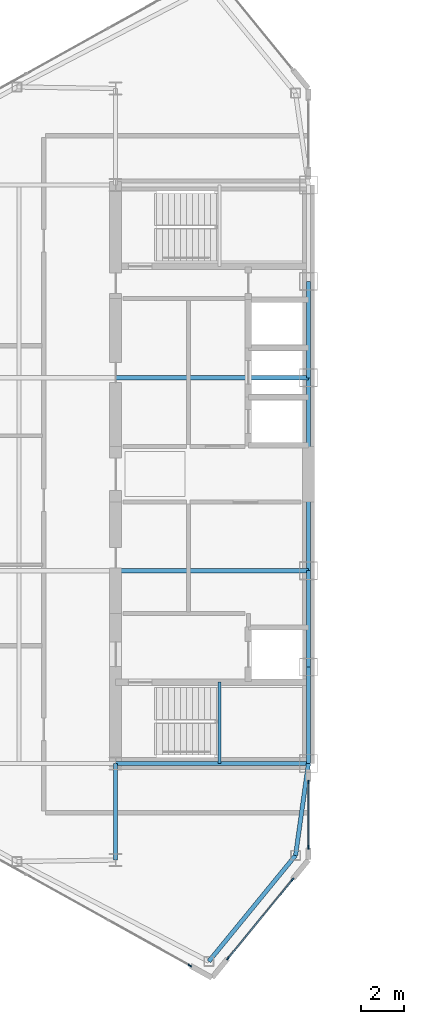
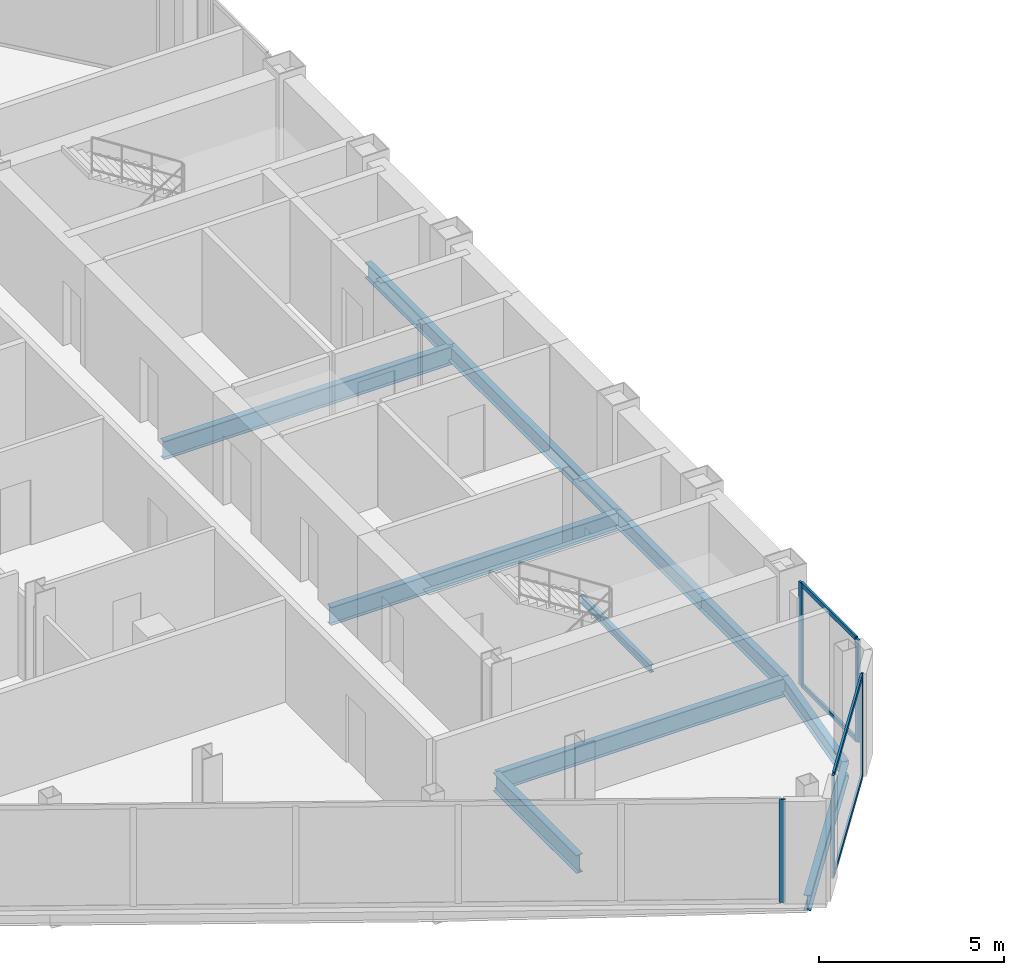
# One storey, part 7 of 26: 11 beams, 9 members, 3 elements without a shape of their own.
"""IFC4 building model written with IfcOpenShell, lengths in metres."""

from ifc_helpers import new_model, si_unit, direction, frame, origin, origin_2d, place, context, subcontext, project, spatial, rectangle, i_section, extrude, source, transform, mapped, material, layer, layer_set, material_profile, profile_set, type_object, type_shapes, element, aggregate, save


model = new_model("IFC4")

# Units and contexts
model_context = context("Model", 3, precision=1e-05, world=origin(), true_north=direction((0.0, 1.0)))
body_context = subcontext(model_context, "Body", "Model", "MODEL_VIEW")
ifc_project = project(units=[si_unit("LENGTHUNIT", "METRE"), si_unit("AREAUNIT", "SQUARE_METRE"), si_unit("VOLUMEUNIT", "CUBIC_METRE"), si_unit("PLANEANGLEUNIT", "RADIAN"), si_unit("MASSUNIT", "GRAM", prefix="KILO")], contexts=[model_context])

# Site, building, storey
site_placement = place(None, origin())
site = spatial("IfcSite", under=ifc_project, at=site_placement, CompositionType="ELEMENT")
building_placement = place(site_placement, origin())
building = spatial("IfcBuilding", under=site, at=building_placement, Name="Seokmaru Belvedere", CompositionType="ELEMENT")
storey_placement = place(building_placement, frame((0.0, 0.0, 174.300048828125)))
storey = spatial("IfcBuildingStorey", under=building, at=storey_placement, Name="L46", CompositionType="ELEMENT", Elevation=174.300048828125)

# Beams
ifc_material_1 = material(Name="Steel SM355 (355 MPa)", Category="steel")
ifc_material_profile_1 = material_profile(ifc_material_1, i_section(OverallWidth=0.199951171875, OverallDepth=0.5, WebThickness=0.010009765625, FlangeThickness=0.01611328125, at=origin_2d()), Name="H-500x200x10x16")
ifc_profile_set_1 = profile_set([ifc_material_profile_1], Name="Steel SM355 (355 MPa)")
beam_type_1 = type_object("IfcBeamType", Name="Perimeter Spandrel Beam H-500", PredefinedType="SPANDREL", material=ifc_profile_set_1)
shared_shape_1 = source(origin(), body_context, "Body", "SweptSolid", [
    extrude(i_section(OverallWidth=0.199951171875, OverallDepth=0.5, WebThickness=0.010009765625, FlangeThickness=0.01611328125, at=origin_2d()), origin(), (0.0, 0.0, 1.0), 4.5),
])
for number, where, z_axis, x_axis, name in (
    (1, (-27.5, -13.5, -0.469970703125), (0.0, 1.0, 0.0), (-1.0, 0.0, 0.0), "L46 W Portal Spine Spandrel 1"),
    (2, (-27.5, -9.0, -0.469970703125), (0.0, 1.0, 0.0), (-1.0, 0.0, 0.0), "L46 W Portal Spine Spandrel 2"),
    (3, (-27.5, 4.5, -0.469970703125), (0.0, 1.0, 0.0), (-1.0, 0.0, 0.0), "L46 W Portal Spine Spandrel 4"),
):
    element("IfcBeam", number, at=place(storey_placement, frame(where, z_axis=z_axis, x_axis=x_axis)), inside=storey, type_object=beam_type_1, Name=name, PredefinedType="SPANDREL", context=body_context, shape_type="MappedRepresentation", body=[
        mapped(shared_shape_1, transform((0.0, 0.0, 0.0), scale=1.0)),
    ])
shared_shape_2 = source(origin(), body_context, "Body", "SweptSolid", [
    extrude(i_section(OverallWidth=0.199951171875, OverallDepth=0.5, WebThickness=0.010009765625, FlangeThickness=0.01611328125, at=origin_2d()), origin(), (0.0, 0.0, 1.0), 9.0),
])
beam_1_placement = place(storey_placement, frame((-27.5, -4.5, -0.469970703125), z_axis=(0.0, 1.0, 0.0), x_axis=(-1.0, 0.0, 0.0)))
element("IfcBeam", 4, at=beam_1_placement, inside=storey, type_object=beam_type_1, Name="L46 W Portal Spine Spandrel 3", PredefinedType="SPANDREL", context=body_context, shape_type="MappedRepresentation", body=[
    mapped(shared_shape_2, transform((0.0, 0.0, 0.0), scale=1.0)),
])
ifc_material_profile_2 = material_profile(ifc_material_1, i_section(OverallWidth=0.199951171875, OverallDepth=0.60009765625, WebThickness=0.010986328125, FlangeThickness=0.01708984375, at=origin_2d()), Name="H-600x200x11x17")
ifc_profile_set_2 = profile_set([ifc_material_profile_2], Name="Steel SM355 (355 MPa)")
beam_type_2 = type_object("IfcBeamType", Name="Primary Floor Girder H-600", PredefinedType="BEAM", material=ifc_profile_set_2)
shared_shape_3 = source(origin(), body_context, "Body", "SweptSolid", [
    extrude(i_section(OverallWidth=0.199951171875, OverallDepth=0.60009765625, WebThickness=0.010986328125, FlangeThickness=0.01708984375, at=origin_2d()), origin(), (0.0, 0.0, 1.0), 9.0),
])
for number, where, z_axis, x_axis, name in (
    (5, (-36.5, -13.5, -0.52001953125), (1.0, 0.0, 0.0), (0.0, 1.0, 0.0), "L46 W Core Tie Girder 1"),
    (6, (-36.5, -4.5, -0.52001953125), (1.0, 0.0, 0.0), (0.0, 1.0, 0.0), "L46 W Core Tie Girder 2"),
    (7, (-36.5, 4.5, -0.52001953125), (1.0, 0.0, 0.0), (0.0, 1.0, 0.0), "L46 W Core Tie Girder 3"),
):
    element("IfcBeam", number, at=place(storey_placement, frame(where, z_axis=z_axis, x_axis=x_axis)), inside=storey, type_object=beam_type_2, Name=name, PredefinedType="BEAM", context=body_context, shape_type="MappedRepresentation", body=[
        mapped(shared_shape_3, transform((0.0, 0.0, 0.0), scale=1.0)),
    ])
shared_shape_4 = source(origin(), body_context, "Body", "SweptSolid", [
    extrude(i_section(OverallWidth=0.199951171875, OverallDepth=0.60009765625, WebThickness=0.010986328125, FlangeThickness=0.01708984375, at=origin_2d()), origin(), (0.0, 0.0, 1.0), 4.5),
])
type_shapes(beam_type_2, [shared_shape_3, shared_shape_4])
beam_2_placement = place(storey_placement, frame((-36.5, -18.0, -0.52001953125), z_axis=(0.0, 1.0, 0.0), x_axis=(-1.0, 0.0, 0.0)))
element("IfcBeam", 8, at=beam_2_placement, inside=storey, type_object=beam_type_2, Name="L46 W Core Shoulder Girder S", PredefinedType="BEAM", context=body_context, shape_type="MappedRepresentation", body=[
    mapped(shared_shape_4, transform((0.0, 0.0, 0.0), scale=1.0)),
])
shared_shape_5 = source(origin(), body_context, "Body", "SweptSolid", [
    extrude(i_section(OverallWidth=0.199951171875, OverallDepth=0.5, WebThickness=0.010009765625, FlangeThickness=0.01611328125, at=origin_2d()), origin(), (0.0, 0.0, 1.0), 6.390380859375),
])
beam_3_placement = place(storey_placement, frame((-32.146728515625, -22.731689453125, -0.469970703125), z_axis=(0.63324403161, 0.7739521926, 0.0), x_axis=(-0.7739521926, 0.63324403161, 0.0)))
element("IfcBeam", 9, at=beam_3_placement, inside=storey, type_object=beam_type_1, Name="L46 W Shoulder Chamfer Spandrel S", PredefinedType="SPANDREL", context=body_context, shape_type="MappedRepresentation", body=[
    mapped(shared_shape_5, transform((0.0, 0.0, 0.0), scale=1.0)),
])
shared_shape_6 = source(origin(), body_context, "Body", "SweptSolid", [
    extrude(i_section(OverallWidth=0.199951171875, OverallDepth=0.5, WebThickness=0.010009765625, FlangeThickness=0.01611328125, at=origin_2d()), origin(), (0.0, 0.0, 1.0), 4.32763671875),
])
type_shapes(beam_type_1, [shared_shape_1, shared_shape_2, shared_shape_5, shared_shape_6])
beam_4_placement = place(storey_placement, frame((-28.10009765625, -17.785888671875, -0.469970703125), z_axis=(0.138664443237, 0.990339422714, 0.0), x_axis=(-0.990339422714, 0.138664443237, 0.0)))
element("IfcBeam", 10, at=beam_4_placement, inside=storey, type_object=beam_type_1, Name="L46 W Shoulder Spine Spandrel S", PredefinedType="SPANDREL", context=body_context, shape_type="MappedRepresentation", body=[
    mapped(shared_shape_6, transform((0.0, 0.0, 0.0), scale=1.0)),
])

# Curtain wall, members
ifc_material_2 = material(Name="Bronze Triple Insulating Glass", Category="glass")
ifc_layer = layer(ifc_material_2, 0.179931640625)
ifc_layer_set = layer_set([ifc_layer], Name="Bronze Triple Insulating Glass")
curtain_wall_type = type_object("IfcCurtainWallType", Name="High-Rise Wind-Corner Curtain Wall System CW-5", PredefinedType="NOTDEFINED", material=ifc_layer_set)
curtain_wall_1_placement = place(storey_placement, origin())
curtain_wall_1 = element("IfcCurtainWall", 11, at=curtain_wall_1_placement, inside=storey, type_object=curtain_wall_type, Name="L46 Curtain Wall WSP_1", PredefinedType="NOTDEFINED")
ifc_material_3 = material(Name="Anodised Bronze Aluminium", Category="aluminium")
ifc_material_profile_3 = material_profile(ifc_material_3, rectangle(XDim=0.06494140625, YDim=0.14990234375, at=origin_2d()), Name="CW-T-65x150")
ifc_profile_set_3 = profile_set([ifc_material_profile_3], Name="Anodised Bronze Aluminium")
member_type_1 = type_object("IfcMemberType", Name="Bronze Unitised Transom 65x150", PredefinedType="USERDEFINED", material=ifc_profile_set_3)
shared_shape_7 = source(origin(), body_context, "Body", "SweptSolid", [
    extrude(rectangle(XDim=0.06494140625, YDim=0.14990234375, at=origin_2d()), origin(), (0.0, 0.0, 1.0), 2.969970703125),
])
member_1_placement = place(storey_placement, frame((-27.5, -17.364990234375, 0.032470703125), z_axis=(0.0, 1.0, 0.0), x_axis=(-1.0, 0.0, 0.0)))
member_1 = element("IfcMember", 12, at=member_1_placement, type_object=member_type_1, Name="CW:L46:WSP_1 Continuous Transom 1", ObjectType="TRANSOM", PredefinedType="USERDEFINED", context=body_context, shape_type="MappedRepresentation", body=[
    mapped(shared_shape_7, transform((0.0, 0.0, 0.0), scale=1.0)),
])
member_2_placement = place(storey_placement, frame((-27.5, -17.364990234375, 3.347412109375), z_axis=(0.0, 1.0, 0.0), x_axis=(-1.0, 0.0, 0.0)))
member_2 = element("IfcMember", 13, at=member_2_placement, type_object=member_type_1, Name="CW:L46:WSP_1 Continuous Transom 2", ObjectType="TRANSOM", PredefinedType="USERDEFINED", context=body_context, shape_type="MappedRepresentation", body=[
    mapped(shared_shape_7, transform((0.0, 0.0, 0.0), scale=1.0)),
])

curtain_wall_2_placement = place(storey_placement, origin())
curtain_wall_2 = element("IfcCurtainWall", 14, at=curtain_wall_2_placement, inside=storey, type_object=curtain_wall_type, Name="L46 Curtain Wall WF6", PredefinedType="NOTDEFINED")
shared_shape_8 = source(origin(), body_context, "Body", "SweptSolid", [
    extrude(rectangle(XDim=0.06494140625, YDim=0.14990234375, at=origin_2d()), origin(), (0.0, 0.0, 1.0), 4.67626953125),
])
type_shapes(member_type_1, [shared_shape_7, shared_shape_8])
member_3_placement = place(storey_placement, frame((-31.230712890625, -22.5595703125, 0.032470703125), z_axis=(0.633277591216, 0.773924733074, 0.0), x_axis=(-0.773924733074, 0.633277591216, 0.0)))
member_3 = element("IfcMember", 15, at=member_3_placement, type_object=member_type_1, Name="CW:L46:WF6 Continuous Transom 1", ObjectType="TRANSOM", PredefinedType="USERDEFINED", context=body_context, shape_type="MappedRepresentation", body=[
    mapped(shared_shape_8, transform((0.0, 0.0, 0.0), scale=1.0)),
])
member_4_placement = place(storey_placement, frame((-31.230712890625, -22.5595703125, 3.347412109375), z_axis=(0.633277591216, 0.773924733074, 0.0), x_axis=(-0.773924733074, 0.633277591216, 0.0)))
member_4 = element("IfcMember", 16, at=member_4_placement, type_object=member_type_1, Name="CW:L46:WF6 Continuous Transom 2", ObjectType="TRANSOM", PredefinedType="USERDEFINED", context=body_context, shape_type="MappedRepresentation", body=[
    mapped(shared_shape_8, transform((0.0, 0.0, 0.0), scale=1.0)),
])

# Member
ifc_material_profile_4 = material_profile(ifc_material_3, rectangle(XDim=0.06494140625, YDim=0.179931640625, at=origin_2d()), Name="CW-M-65x180")
ifc_profile_set_4 = profile_set([ifc_material_profile_4], Name="Anodised Bronze Aluminium")
member_type_2 = type_object("IfcMemberType", Name="Bronze Unitised Mullion 65x180", PredefinedType="MULLION", material=ifc_profile_set_4)
shared_shape_9 = source(origin(), body_context, "Body", "SweptSolid", [
    extrude(rectangle(XDim=0.06494140625, YDim=0.179931640625, at=origin_2d()), origin(), (0.0, 0.0, 1.0), 3.3798828125),
])
type_shapes(member_type_2, [shared_shape_9])
member_5_placement = place(storey_placement, frame((-27.5, -17.3974609375, 0.0), z_axis=(0.0, 0.0, 1.0), x_axis=(-1.0, 0.0, 0.0)))
member_5 = element("IfcMember", 17, at=member_5_placement, type_object=member_type_2, Name="CW:L46:WSP_1 Mullion 1", PredefinedType="MULLION", context=body_context, shape_type="MappedRepresentation", body=[
    mapped(shared_shape_9, transform((0.0, 0.0, 0.0), scale=1.0)),
])

member_6_placement = place(storey_placement, frame((-27.5, -14.362548828125, 0.0), z_axis=(0.0, 0.0, 1.0), x_axis=(-1.0, 0.0, 0.0)))
member_6 = element("IfcMember", 18, at=member_6_placement, type_object=member_type_2, Name="CW:L46:WSP_1 Mullion 2", PredefinedType="MULLION", context=body_context, shape_type="MappedRepresentation", body=[
    mapped(shared_shape_9, transform((0.0, 0.0, 0.0), scale=1.0)),
])

aggregate(curtain_wall_1, [member_5, member_6, member_1, member_2])

# Curtain wall, member
curtain_wall_3_placement = place(storey_placement, origin())
curtain_wall_3 = element("IfcCurtainWall", 19, at=curtain_wall_3_placement, inside=storey, type_object=curtain_wall_type, Name="L46 Curtain Wall WF5", PredefinedType="NOTDEFINED")
member_7_placement = place(storey_placement, frame((-33.033447265625, -22.92529296875, 0.0), z_axis=(0.0, 0.0, 1.0), x_axis=(0.486047125147, 0.873932601598, 0.0)))
member_7 = element("IfcMember", 20, at=member_7_placement, type_object=member_type_2, Name="CW:L46:WF5 Mullion 10", PredefinedType="MULLION", context=body_context, shape_type="MappedRepresentation", body=[
    mapped(shared_shape_9, transform((0.0, 0.0, 0.0), scale=1.0)),
])
aggregate(curtain_wall_3, [member_7])

# Member
member_8_placement = place(storey_placement, frame((-31.251220703125, -22.584716796875, 0.0), z_axis=(0.0, 0.0, 1.0), x_axis=(-0.773944112379, 0.633253907144, 0.0)))
member_8 = element("IfcMember", 21, at=member_8_placement, type_object=member_type_2, Name="CW:L46:WF6 Mullion 1", PredefinedType="MULLION", context=body_context, shape_type="MappedRepresentation", body=[
    mapped(shared_shape_9, transform((0.0, 0.0, 0.0), scale=1.0)),
])

member_9_placement = place(storey_placement, frame((-28.248779296875, -18.915283203125, 0.0), z_axis=(0.0, 0.0, 1.0), x_axis=(-0.773944112379, 0.633253907144, 0.0)))
member_9 = element("IfcMember", 22, at=member_9_placement, type_object=member_type_2, Name="CW:L46:WF6 Mullion 2", PredefinedType="MULLION", context=body_context, shape_type="MappedRepresentation", body=[
    mapped(shared_shape_9, transform((0.0, 0.0, 0.0), scale=1.0)),
])

aggregate(curtain_wall_2, [member_8, member_9, member_3, member_4])

# Beam
ifc_material_profile_5 = material_profile(ifc_material_1, i_section(OverallWidth=0.125, OverallDepth=0.25, WebThickness=0.006103515625, FlangeThickness=0.009033203125, at=origin_2d()), Name="H-250x125x6x9")
ifc_profile_set_5 = profile_set([ifc_material_profile_5], Name="Steel SM355 (355 MPa)")
beam_type_3 = type_object("IfcBeamType", Name="Stair Mid-Landing Support Beam H-250", PredefinedType="JOIST", material=ifc_profile_set_5)
shared_shape_10 = source(origin(), body_context, "Body", "SweptSolid", [
    extrude(i_section(OverallWidth=0.125, OverallDepth=0.25, WebThickness=0.006103515625, FlangeThickness=0.009033203125, at=origin_2d()), origin(), (0.0, 0.0, 1.0), 3.800048828125),
])
type_shapes(beam_type_3, [shared_shape_10])
beam_5_placement = place(storey_placement, frame((-31.64990234375, -13.5, 1.474853515625), z_axis=(0.0, 1.0, 0.0), x_axis=(-1.0, 0.0, 0.0)))
element("IfcBeam", 23, at=beam_5_placement, inside=storey, type_object=beam_type_3, Name="L46 Stair ST-W1 Mid-Landing Support Beam 1", PredefinedType="JOIST", context=body_context, shape_type="MappedRepresentation", body=[
    mapped(shared_shape_10, transform((0.0, 0.0, 0.0), scale=1.0)),
])

save(model, "model.ifc")
